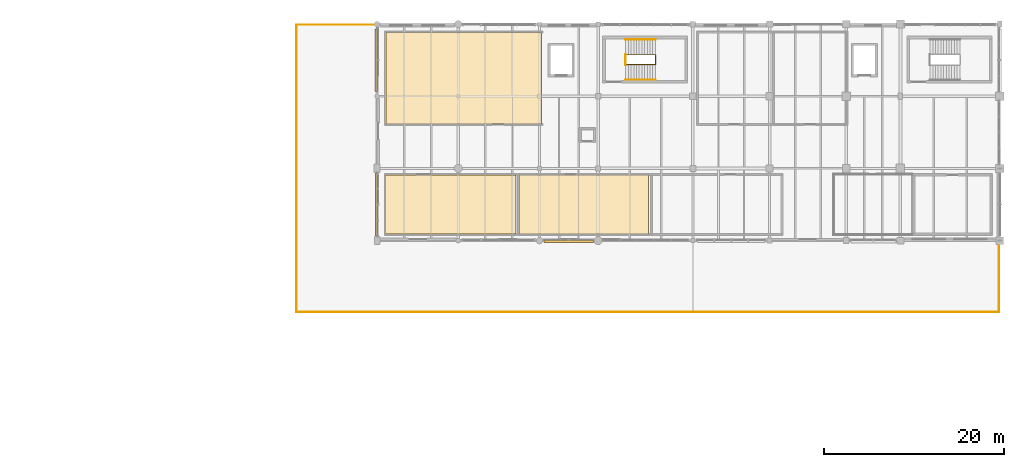
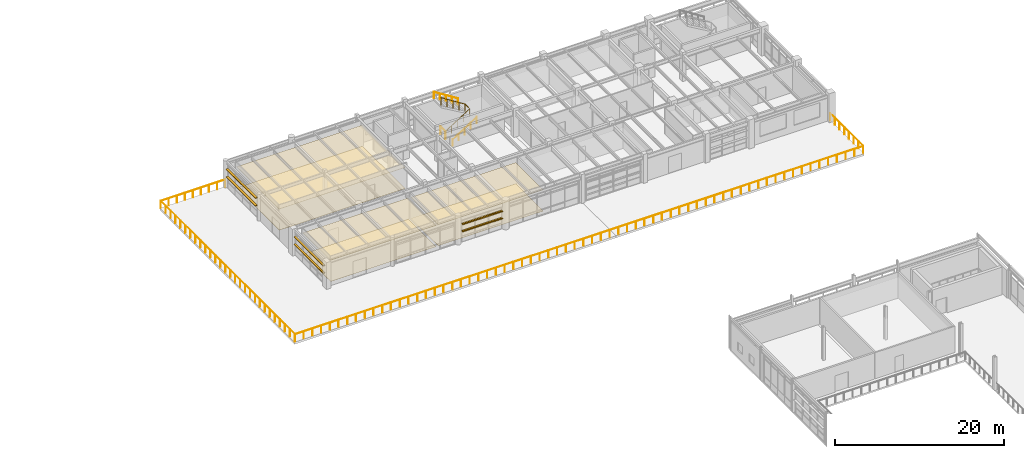
# One storey, part 54 of 56: 6 coverings, 6 shading devices, 5 railings.
"""IFC4 building model written with IfcOpenShell, lengths in metres."""

from ifc_helpers import new_model, si_unit, direction, frame, origin, origin_2d, place, context, subcontext, project, spatial, polyline, rectangle, circle, outline, extrude, material, layer, layer_set, type_object, element, save


model = new_model("IFC4")

# Units and contexts
model_context = context("Model", 3, precision=1e-05, world=origin(), true_north=direction((0.0, 1.0)))
body_context = subcontext(model_context, "Body", "Model", "MODEL_VIEW")
ifc_project = project(units=[si_unit("LENGTHUNIT", "METRE"), si_unit("AREAUNIT", "SQUARE_METRE"), si_unit("VOLUMEUNIT", "CUBIC_METRE"), si_unit("PLANEANGLEUNIT", "RADIAN"), si_unit("MASSUNIT", "GRAM", prefix="KILO"), si_unit("THERMODYNAMICTEMPERATUREUNIT", "KELVIN"), si_unit("POWERUNIT", "WATT")], contexts=[model_context])

# Site, building, storey
site_placement = place(None, origin())
site = spatial("IfcSite", under=ifc_project, at=site_placement, CompositionType="ELEMENT")
building_placement = place(site_placement, origin())
building = spatial("IfcBuilding", under=site, at=building_placement, Name="Tepalcoro Natatorium and Aquatics Centre", CompositionType="ELEMENT")
storey_placement = place(building_placement, frame((0.0, 0.0, 14.800048828125)))
storey = spatial("IfcBuildingStorey", under=building, at=storey_placement, Name="L03", CompositionType="ELEMENT", Elevation=14.800048828125)

# Coverings
ifc_material_1 = material(Name="Perforated Corrosion-Resistant Acoustic Aluminium Baffle Ceiling", Category="aluminium")
ifc_layer_1 = layer(ifc_material_1, 0.044921875)
ifc_layer_set_1 = layer_set([ifc_layer_1], Name="Perforated Corrosion-Resistant Acoustic Aluminium Baffle Ceiling")
covering_type_1 = type_object("IfcCoveringType", Name="CL_BAFFLE_120", PredefinedType="CEILING", material=ifc_layer_set_1)
covering_1_placement = place(storey_placement, frame((0.0, 0.0, 3.050048828125)))
element("IfcCovering", 1, at=covering_1_placement, inside=storey, type_object=covering_type_1, Name="Panorama Thermal Solarium & Rooftop Spa Lounge Suspended Ceiling", PredefinedType="CEILING", context=body_context, shape_type="SweptSolid", body=[
    extrude(outline(polyline([(107.955078125, 94.715087890625), (107.955078125, 101.284912109375), (122.3779296875, 101.284912109375), (122.3779296875, 94.715087890625), (107.955078125, 94.715087890625)])), origin(), (0.0, 0.0, 1.0), 0.044921875),
])
ifc_material_2 = material(Name="Moisture-Resistant Acoustic Gypsum Drywall on Cold-Formed Metal Studs")
ifc_layer_2 = layer(ifc_material_2, 0.030029296875)
ifc_layer_set_2 = layer_set([ifc_layer_2], Name="Moisture-Resistant Acoustic Gypsum Drywall on Cold-Formed Metal Studs")
covering_type_2 = type_object("IfcCoveringType", Name="CL_GYPSUM_30", PredefinedType="CEILING", material=ifc_layer_set_2)
covering_2_placement = place(storey_placement, frame((0.0, 0.0, 3.050048828125)))
element("IfcCovering", 2, at=covering_2_placement, inside=storey, type_object=covering_type_2, Name="Hypoxic Altitude Simulation Training Chamber Suspended Ceiling", PredefinedType="CEILING", context=body_context, shape_type="SweptSolid", body=[
    extrude(outline(polyline([(122.712890625, 94.739990234375), (122.712890625, 101.260009765625), (137.0869140625, 101.260009765625), (137.0869140625, 94.739990234375), (122.712890625, 94.739990234375)])), origin(), (0.0, 0.0, 1.0), 0.02978515625),
])
ifc_layer_3 = layer(ifc_material_1, 0.0400390625)
ifc_layer_set_3 = layer_set([ifc_layer_3], Name="Perforated Corrosion-Resistant Acoustic Aluminium Baffle Ceiling")
covering_type_3 = type_object("IfcCoveringType", Name="CL_PERF_AL_40", PredefinedType="CEILING", material=ifc_layer_set_3)
covering_3_placement = place(storey_placement, frame((0.0, 0.0, 3.050048828125)))
element("IfcCovering", 3, at=covering_3_placement, inside=storey, type_object=covering_type_3, Name="Biochemistry & Haematology Physiology Lab Suspended Ceiling", PredefinedType="CEILING", context=body_context, shape_type="SweptSolid", body=[
    extrude(outline(polyline([(107.97998046875, 106.93994140625), (107.97998046875, 117.06005859375), (125.219970703125, 117.06005859375), (125.219970703125, 106.93994140625), (107.97998046875, 106.93994140625)])), origin(), (0.0, 0.0, 1.0), 0.039794921875),
])
ifc_material_3 = material(Name="Shock-Absorbing Vulcanised Athletic Rubber Flooring")
ifc_layer_4 = layer(ifc_material_3, 0.010009765625)
ifc_layer_set_4 = layer_set([ifc_layer_4], Name="Shock-Absorbing Vulcanised Athletic Rubber Flooring")
covering_type_4 = type_object("IfcCoveringType", Name="FL_CARPET_10", PredefinedType="FLOORING", material=ifc_layer_set_4)
covering_4_placement = place(storey_placement, origin())
element("IfcCovering", 4, at=covering_4_placement, inside=storey, type_object=covering_type_4, Name="Panorama Thermal Solarium & Rooftop Spa Lounge Floor Finish", PredefinedType="FLOORING", context=body_context, shape_type="SweptSolid", body=[
    extrude(outline(polyline([(107.955078125, 94.715087890625), (107.955078125, 101.284912109375), (122.3779296875, 101.284912109375), (122.3779296875, 94.715087890625), (107.955078125, 94.715087890625)])), origin(), (0.0, 0.0, 1.0), 0.010009765625),
])
ifc_layer_5 = layer(ifc_material_3, 0.011962890625)
ifc_layer_set_5 = layer_set([ifc_layer_5], Name="Shock-Absorbing Vulcanised Athletic Rubber Flooring")
covering_type_5 = type_object("IfcCoveringType", Name="FL_RUBBER_12", PredefinedType="FLOORING", material=ifc_layer_set_5)
covering_5_placement = place(storey_placement, origin())
element("IfcCovering", 5, at=covering_5_placement, inside=storey, type_object=covering_type_5, Name="Hypoxic Altitude Simulation Training Chamber Floor Finish", PredefinedType="FLOORING", context=body_context, shape_type="SweptSolid", body=[
    extrude(outline(polyline([(122.712890625, 94.739990234375), (122.712890625, 101.260009765625), (137.0869140625, 101.260009765625), (137.0869140625, 94.739990234375), (122.712890625, 94.739990234375)])), origin(), (0.0, 0.0, 1.0), 0.011962890625),
])
ifc_material_4 = material(Name="Polished Jalisco Basalt Aggregate Terrazzo Flooring", Category="masonry")
ifc_layer_6 = layer(ifc_material_4, 0.028076171875)
ifc_layer_set_6 = layer_set([ifc_layer_6], Name="Polished Jalisco Basalt Aggregate Terrazzo Flooring")
covering_type_6 = type_object("IfcCoveringType", Name="FL_TERRAZZO_25", PredefinedType="FLOORING", material=ifc_layer_set_6)
covering_6_placement = place(storey_placement, origin())
element("IfcCovering", 6, at=covering_6_placement, inside=storey, type_object=covering_type_6, Name="Biochemistry & Haematology Physiology Lab Floor Finish", PredefinedType="FLOORING", context=body_context, shape_type="SweptSolid", body=[
    extrude(outline(polyline([(107.97998046875, 106.93994140625), (107.97998046875, 117.06005859375), (125.219970703125, 117.06005859375), (125.219970703125, 106.93994140625), (107.97998046875, 106.93994140625)])), origin(), (0.0, 0.0, 1.0), 0.02783203125),
])

# Railings
ifc_material_5 = material(Name="Bronze-Anodised Extruded Aluminium Alloy EN AW-6063 T6", Category="aluminium")
railing_type_1 = type_object("IfcRailingType", Name="RL_HAND_900_BRZ", PredefinedType="HANDRAIL", material=ifc_material_5)
railing_1_placement = place(storey_placement, frame((134.550048828125, 111.830078125, 0.0)))
element("IfcRailing", 7, at=railing_1_placement, inside=storey, type_object=railing_type_1, Name="ST09-L03 Wall Handrail F1", PredefinedType="HANDRAIL", context=body_context, shape_type="SweptSolid", body=[
    extrude(circle(Radius=0.02392578125, at=origin_2d()), frame((0.0, 0.0, 0.8759765625), z_axis=(0.843682047799, 0.0, 0.53684318215), x_axis=(0.0, 1.0, 0.0)), (0.0, 0.0, 1.0), 3.911376953125),
    extrude(circle(Radius=0.02099609375, at=origin_2d()), origin(), (0.0, 0.0, 1.0), 0.851806640625),
    extrude(circle(Radius=0.02099609375, at=origin_2d()), frame((0.824951171875, 0.0, 0.52490234375)), (0.0, 0.0, 1.0), 0.851806640625),
    extrude(circle(Radius=0.02099609375, at=origin_2d()), frame((1.64990234375, 0.0, 1.0498046875)), (0.0, 0.0, 1.0), 0.851806640625),
    extrude(circle(Radius=0.02099609375, at=origin_2d()), frame((2.47509765625, 0.0, 1.574951171875)), (0.0, 0.0, 1.0), 0.851806640625),
    extrude(circle(Radius=0.02099609375, at=origin_2d()), frame((3.300048828125, 0.0, 2.099853515625)), (0.0, 0.0, 1.0), 0.851806640625),
])
railing_2_placement = place(storey_placement, frame((137.85009765625, 116.27001953125, 2.099853515625)))
element("IfcRailing", 8, at=railing_2_placement, inside=storey, type_object=railing_type_1, Name="ST09-L03 Wall Handrail F2", PredefinedType="HANDRAIL", context=body_context, shape_type="SweptSolid", body=[
    extrude(circle(Radius=0.02392578125, at=origin_2d()), frame((0.0, 0.0, 0.8759765625), z_axis=(-0.843653777646, 0.0, 0.53688760785), x_axis=(0.0, -1.0, 0.0)), (0.0, 0.0, 1.0), 3.91162109375),
    extrude(circle(Radius=0.02099609375, at=origin_2d()), origin(), (0.0, 0.0, 1.0), 0.851806640625),
    extrude(circle(Radius=0.02099609375, at=origin_2d()), frame((-0.824951171875, 0.0, 0.52490234375)), (0.0, 0.0, 1.0), 0.851806640625),
    extrude(circle(Radius=0.02099609375, at=origin_2d()), frame((-1.64990234375, 0.0, 1.050048828125)), (0.0, 0.0, 1.0), 0.851806640625),
    extrude(circle(Radius=0.02099609375, at=origin_2d()), frame((-2.47509765625, 0.0, 1.5751953125)), (0.0, 0.0, 1.0), 0.851806640625),
    extrude(circle(Radius=0.02099609375, at=origin_2d()), frame((-3.300048828125, 0.0, 2.10009765625)), (0.0, 0.0, 1.0), 0.851806640625),
])
ifc_material_6 = material(Name="Marine-Grade Brushed Stainless Steel AISI 316L", Category="steel")
railing_type_2 = type_object("IfcRailingType", Name="RL_SS_1100", PredefinedType="GUARDRAIL", material=ifc_material_6)
railing_3_placement = place(storey_placement, frame((134.550048828125, 113.5, 0.0)))
element("IfcRailing", 9, at=railing_3_placement, inside=storey, type_object=railing_type_2, Name="ST09-L03 Inner Stairwell Guardrail", PredefinedType="GUARDRAIL", context=body_context, shape_type="SweptSolid", body=[
    extrude(circle(Radius=0.02392578125, at=origin_2d()), frame((0.0, 0.0, 1.076171875), z_axis=(0.843682047799, 0.0, 0.53684318215), x_axis=(0.0, 1.0, 0.0)), (0.0, 0.0, 1.0), 3.911376953125),
    extrude(circle(Radius=0.02392578125, at=origin_2d()), frame((3.300048828125, 0.0, 3.17578125), z_axis=(0.0, 1.0, 0.0), x_axis=(-1.0, 0.0, 0.0)), (0.0, 0.0, 1.0), 1.10009765625),
    extrude(circle(Radius=0.02392578125, at=origin_2d()), frame((3.300048828125, 1.10009765625, 3.17578125), z_axis=(-0.843653777646, 0.0, 0.53688760785), x_axis=(0.0, -1.0, 0.0)), (0.0, 0.0, 1.0), 3.91162109375),
    extrude(circle(Radius=0.02099609375, at=origin_2d()), origin(), (0.0, 0.0, 1.0), 1.052001953125),
    extrude(circle(Radius=0.02099609375, at=origin_2d()), frame((0.824951171875, 0.0, 0.52490234375)), (0.0, 0.0, 1.0), 1.052001953125),
    extrude(circle(Radius=0.02099609375, at=origin_2d()), frame((1.64990234375, 0.0, 1.0498046875)), (0.0, 0.0, 1.0), 1.052001953125),
    extrude(circle(Radius=0.02099609375, at=origin_2d()), frame((2.47509765625, 0.0, 1.574951171875)), (0.0, 0.0, 1.0), 1.052001953125),
    extrude(circle(Radius=0.02099609375, at=origin_2d()), frame((3.300048828125, 0.0, 2.099853515625)), (0.0, 0.0, 1.0), 1.052001953125),
    extrude(circle(Radius=0.02099609375, at=origin_2d()), frame((3.300048828125, 1.10009765625, 2.099853515625)), (0.0, 0.0, 1.0), 1.052001953125),
    extrude(circle(Radius=0.02099609375, at=origin_2d()), frame((2.47509765625, 1.10009765625, 2.625)), (0.0, 0.0, 1.0), 1.052001953125),
    extrude(circle(Radius=0.02099609375, at=origin_2d()), frame((1.64990234375, 1.10009765625, 3.14990234375)), (0.0, 0.0, 1.0), 1.052001953125),
    extrude(circle(Radius=0.02099609375, at=origin_2d()), frame((0.824951171875, 1.10009765625, 3.6748046875)), (0.0, 0.0, 1.0), 1.052001953125),
    extrude(circle(Radius=0.02099609375, at=origin_2d()), frame((0.0, 1.10009765625, 4.199951171875)), (0.0, 0.0, 1.0), 1.052001953125),
])
railing_4_placement = place(storey_placement, frame((134.52001953125, 113.4599609375, 0.0)))
element("IfcRailing", 10, at=railing_4_placement, inside=storey, type_object=railing_type_2, Name="ST09-L03 Landing Well Slot Guard", PredefinedType="GUARDRAIL", context=body_context, shape_type="SweptSolid", body=[
    extrude(circle(Radius=0.02392578125, at=origin_2d()), frame((0.0, 0.0, 1.076171875), z_axis=(0.0, 1.0, 0.0), x_axis=(-1.0, 0.0, 0.0)), (0.0, 0.0, 1.0), 1.179931640625),
    extrude(circle(Radius=0.02099609375, at=origin_2d()), origin(), (0.0, 0.0, 1.0), 1.052001953125),
    extrude(circle(Radius=0.02099609375, at=origin_2d()), frame((0.0, 1.179931640625, 0.0)), (0.0, 0.0, 1.0), 1.052001953125),
])
railing_5_placement = place(storey_placement, frame((106.919921875, 117.919921875, 0.0)))
element("IfcRailing", 11, at=railing_5_placement, inside=storey, type_object=railing_type_2, Name="V5 L03 Planted Thermal Spa Terrace Guardrail", PredefinedType="GUARDRAIL", context=body_context, shape_type="SweptSolid", body=[
    extrude(circle(Radius=0.02392578125, at=origin_2d()), frame((0.0, 0.0, 1.076171875), z_axis=(-1.0, 0.0, 0.0), x_axis=(0.0, -1.0, 0.0)), (0.0, 0.0, 1.0), 8.83984375),
    extrude(circle(Radius=0.02392578125, at=origin_2d()), frame((-8.83984375, 0.0, 1.076171875), z_axis=(0.0, -1.0, 0.0), x_axis=(1.0, 0.0, 0.0)), (0.0, 0.0, 1.0), 31.83984375),
    extrude(circle(Radius=0.02392578125, at=origin_2d()), frame((-8.83984375, -31.83984375, 1.076171875), z_axis=(1.0, 0.0, 0.0), x_axis=(0.0, 1.0, 0.0)), (0.0, 0.0, 1.0), 77.83984375),
    extrude(circle(Radius=0.02392578125, at=origin_2d()), frame((69.0, -31.83984375, 1.076171875), z_axis=(0.0, 1.0, 0.0), x_axis=(-1.0, 0.0, 0.0)), (0.0, 0.0, 1.0), 7.83984375),
    extrude(circle(Radius=0.02099609375, at=origin_2d()), origin(), (0.0, 0.0, 1.0), 1.052001953125),
    extrude(circle(Radius=0.02099609375, at=origin_2d()), frame((-1.10498046875, 0.0, 0.0)), (0.0, 0.0, 1.0), 1.052001953125),
    extrude(circle(Radius=0.02099609375, at=origin_2d()), frame((-2.2099609375, 0.0, 0.0)), (0.0, 0.0, 1.0), 1.052001953125),
    extrude(circle(Radius=0.02099609375, at=origin_2d()), frame((-3.31494140625, 0.0, 0.0)), (0.0, 0.0, 1.0), 1.052001953125),
    extrude(circle(Radius=0.02099609375, at=origin_2d()), frame((-4.419921875, 0.0, 0.0)), (0.0, 0.0, 1.0), 1.052001953125),
    extrude(circle(Radius=0.02099609375, at=origin_2d()), frame((-5.52490234375, 0.0, 0.0)), (0.0, 0.0, 1.0), 1.052001953125),
    extrude(circle(Radius=0.02099609375, at=origin_2d()), frame((-6.6298828125, 0.0, 0.0)), (0.0, 0.0, 1.0), 1.052001953125),
    extrude(circle(Radius=0.02099609375, at=origin_2d()), frame((-7.73486328125, 0.0, 0.0)), (0.0, 0.0, 1.0), 1.052001953125),
    extrude(circle(Radius=0.02099609375, at=origin_2d()), frame((-8.83984375, 0.0, 0.0)), (0.0, 0.0, 1.0), 1.052001953125),
    extrude(circle(Radius=0.02099609375, at=origin_2d()), frame((-8.83984375, -1.17919921875, 0.0)), (0.0, 0.0, 1.0), 1.052001953125),
    extrude(circle(Radius=0.02099609375, at=origin_2d()), frame((-8.83984375, -2.3583984375, 0.0)), (0.0, 0.0, 1.0), 1.052001953125),
    extrude(circle(Radius=0.02099609375, at=origin_2d()), frame((-8.83984375, -3.537841796875, 0.0)), (0.0, 0.0, 1.0), 1.052001953125),
    extrude(circle(Radius=0.02099609375, at=origin_2d()), frame((-8.83984375, -4.717041015625, 0.0)), (0.0, 0.0, 1.0), 1.052001953125),
    extrude(circle(Radius=0.02099609375, at=origin_2d()), frame((-8.83984375, -5.896240234375, 0.0)), (0.0, 0.0, 1.0), 1.052001953125),
    extrude(circle(Radius=0.02099609375, at=origin_2d()), frame((-8.83984375, -7.075439453125, 0.0)), (0.0, 0.0, 1.0), 1.052001953125),
    extrude(circle(Radius=0.02099609375, at=origin_2d()), frame((-8.83984375, -8.2548828125, 0.0)), (0.0, 0.0, 1.0), 1.052001953125),
    extrude(circle(Radius=0.02099609375, at=origin_2d()), frame((-8.83984375, -9.43408203125, 0.0)), (0.0, 0.0, 1.0), 1.052001953125),
    extrude(circle(Radius=0.02099609375, at=origin_2d()), frame((-8.83984375, -10.61328125, 0.0)), (0.0, 0.0, 1.0), 1.052001953125),
    extrude(circle(Radius=0.02099609375, at=origin_2d()), frame((-8.83984375, -11.79248046875, 0.0)), (0.0, 0.0, 1.0), 1.052001953125),
    extrude(circle(Radius=0.02099609375, at=origin_2d()), frame((-8.83984375, -12.9716796875, 0.0)), (0.0, 0.0, 1.0), 1.052001953125),
    extrude(circle(Radius=0.02099609375, at=origin_2d()), frame((-8.83984375, -14.151123046875, 0.0)), (0.0, 0.0, 1.0), 1.052001953125),
    extrude(circle(Radius=0.02099609375, at=origin_2d()), frame((-8.83984375, -15.330322265625, 0.0)), (0.0, 0.0, 1.0), 1.052001953125),
    extrude(circle(Radius=0.02099609375, at=origin_2d()), frame((-8.83984375, -16.509521484375, 0.0)), (0.0, 0.0, 1.0), 1.052001953125),
    extrude(circle(Radius=0.02099609375, at=origin_2d()), frame((-8.83984375, -17.688720703125, 0.0)), (0.0, 0.0, 1.0), 1.052001953125),
    extrude(circle(Radius=0.02099609375, at=origin_2d()), frame((-8.83984375, -18.8681640625, 0.0)), (0.0, 0.0, 1.0), 1.052001953125),
    extrude(circle(Radius=0.02099609375, at=origin_2d()), frame((-8.83984375, -20.04736328125, 0.0)), (0.0, 0.0, 1.0), 1.052001953125),
    extrude(circle(Radius=0.02099609375, at=origin_2d()), frame((-8.83984375, -21.2265625, 0.0)), (0.0, 0.0, 1.0), 1.052001953125),
    extrude(circle(Radius=0.02099609375, at=origin_2d()), frame((-8.83984375, -22.40576171875, 0.0)), (0.0, 0.0, 1.0), 1.052001953125),
    extrude(circle(Radius=0.02099609375, at=origin_2d()), frame((-8.83984375, -23.5849609375, 0.0)), (0.0, 0.0, 1.0), 1.052001953125),
    extrude(circle(Radius=0.02099609375, at=origin_2d()), frame((-8.83984375, -24.764404296875, 0.0)), (0.0, 0.0, 1.0), 1.052001953125),
    extrude(circle(Radius=0.02099609375, at=origin_2d()), frame((-8.83984375, -25.943603515625, 0.0)), (0.0, 0.0, 1.0), 1.052001953125),
    extrude(circle(Radius=0.02099609375, at=origin_2d()), frame((-8.83984375, -27.122802734375, 0.0)), (0.0, 0.0, 1.0), 1.052001953125),
    extrude(circle(Radius=0.02099609375, at=origin_2d()), frame((-8.83984375, -28.302001953125, 0.0)), (0.0, 0.0, 1.0), 1.052001953125),
    extrude(circle(Radius=0.02099609375, at=origin_2d()), frame((-8.83984375, -29.4814453125, 0.0)), (0.0, 0.0, 1.0), 1.052001953125),
    extrude(circle(Radius=0.02099609375, at=origin_2d()), frame((-8.83984375, -30.66064453125, 0.0)), (0.0, 0.0, 1.0), 1.052001953125),
    extrude(circle(Radius=0.02099609375, at=origin_2d()), frame((-8.83984375, -31.83984375, 0.0)), (0.0, 0.0, 1.0), 1.052001953125),
    extrude(circle(Radius=0.02099609375, at=origin_2d()), frame((-7.642333984375, -31.83984375, 0.0)), (0.0, 0.0, 1.0), 1.052001953125),
    extrude(circle(Radius=0.02099609375, at=origin_2d()), frame((-6.44482421875, -31.83984375, 0.0)), (0.0, 0.0, 1.0), 1.052001953125),
    extrude(circle(Radius=0.02099609375, at=origin_2d()), frame((-5.247314453125, -31.83984375, 0.0)), (0.0, 0.0, 1.0), 1.052001953125),
    extrude(circle(Radius=0.02099609375, at=origin_2d()), frame((-4.0498046875, -31.83984375, 0.0)), (0.0, 0.0, 1.0), 1.052001953125),
    extrude(circle(Radius=0.02099609375, at=origin_2d()), frame((-2.85205078125, -31.83984375, 0.0)), (0.0, 0.0, 1.0), 1.052001953125),
    extrude(circle(Radius=0.02099609375, at=origin_2d()), frame((-1.654541015625, -31.83984375, 0.0)), (0.0, 0.0, 1.0), 1.052001953125),
    extrude(circle(Radius=0.02099609375, at=origin_2d()), frame((-0.45703125, -31.83984375, 0.0)), (0.0, 0.0, 1.0), 1.052001953125),
    extrude(circle(Radius=0.02099609375, at=origin_2d()), frame((0.740478515625, -31.83984375, 0.0)), (0.0, 0.0, 1.0), 1.052001953125),
    extrude(circle(Radius=0.02099609375, at=origin_2d()), frame((1.93798828125, -31.83984375, 0.0)), (0.0, 0.0, 1.0), 1.052001953125),
    extrude(circle(Radius=0.02099609375, at=origin_2d()), frame((3.135498046875, -31.83984375, 0.0)), (0.0, 0.0, 1.0), 1.052001953125),
    extrude(circle(Radius=0.02099609375, at=origin_2d()), frame((4.3330078125, -31.83984375, 0.0)), (0.0, 0.0, 1.0), 1.052001953125),
    extrude(circle(Radius=0.02099609375, at=origin_2d()), frame((5.530517578125, -31.83984375, 0.0)), (0.0, 0.0, 1.0), 1.052001953125),
    extrude(circle(Radius=0.02099609375, at=origin_2d()), frame((6.72802734375, -31.83984375, 0.0)), (0.0, 0.0, 1.0), 1.052001953125),
    extrude(circle(Radius=0.02099609375, at=origin_2d()), frame((7.92578125, -31.83984375, 0.0)), (0.0, 0.0, 1.0), 1.052001953125),
    extrude(circle(Radius=0.02099609375, at=origin_2d()), frame((9.123291015625, -31.83984375, 0.0)), (0.0, 0.0, 1.0), 1.052001953125),
    extrude(circle(Radius=0.02099609375, at=origin_2d()), frame((10.32080078125, -31.83984375, 0.0)), (0.0, 0.0, 1.0), 1.052001953125),
    extrude(circle(Radius=0.02099609375, at=origin_2d()), frame((11.518310546875, -31.83984375, 0.0)), (0.0, 0.0, 1.0), 1.052001953125),
    extrude(circle(Radius=0.02099609375, at=origin_2d()), frame((12.7158203125, -31.83984375, 0.0)), (0.0, 0.0, 1.0), 1.052001953125),
    extrude(circle(Radius=0.02099609375, at=origin_2d()), frame((13.913330078125, -31.83984375, 0.0)), (0.0, 0.0, 1.0), 1.052001953125),
    extrude(circle(Radius=0.02099609375, at=origin_2d()), frame((15.11083984375, -31.83984375, 0.0)), (0.0, 0.0, 1.0), 1.052001953125),
    extrude(circle(Radius=0.02099609375, at=origin_2d()), frame((16.308349609375, -31.83984375, 0.0)), (0.0, 0.0, 1.0), 1.052001953125),
    extrude(circle(Radius=0.02099609375, at=origin_2d()), frame((17.505859375, -31.83984375, 0.0)), (0.0, 0.0, 1.0), 1.052001953125),
    extrude(circle(Radius=0.02099609375, at=origin_2d()), frame((18.703369140625, -31.83984375, 0.0)), (0.0, 0.0, 1.0), 1.052001953125),
    extrude(circle(Radius=0.02099609375, at=origin_2d()), frame((19.901123046875, -31.83984375, 0.0)), (0.0, 0.0, 1.0), 1.052001953125),
    extrude(circle(Radius=0.02099609375, at=origin_2d()), frame((21.0986328125, -31.83984375, 0.0)), (0.0, 0.0, 1.0), 1.052001953125),
    extrude(circle(Radius=0.02099609375, at=origin_2d()), frame((22.296142578125, -31.83984375, 0.0)), (0.0, 0.0, 1.0), 1.052001953125),
    extrude(circle(Radius=0.02099609375, at=origin_2d()), frame((23.49365234375, -31.83984375, 0.0)), (0.0, 0.0, 1.0), 1.052001953125),
    extrude(circle(Radius=0.02099609375, at=origin_2d()), frame((24.691162109375, -31.83984375, 0.0)), (0.0, 0.0, 1.0), 1.052001953125),
    extrude(circle(Radius=0.02099609375, at=origin_2d()), frame((25.888671875, -31.83984375, 0.0)), (0.0, 0.0, 1.0), 1.052001953125),
    extrude(circle(Radius=0.02099609375, at=origin_2d()), frame((27.086181640625, -31.83984375, 0.0)), (0.0, 0.0, 1.0), 1.052001953125),
    extrude(circle(Radius=0.02099609375, at=origin_2d()), frame((28.28369140625, -31.83984375, 0.0)), (0.0, 0.0, 1.0), 1.052001953125),
    extrude(circle(Radius=0.02099609375, at=origin_2d()), frame((29.481201171875, -31.83984375, 0.0)), (0.0, 0.0, 1.0), 1.052001953125),
    extrude(circle(Radius=0.02099609375, at=origin_2d()), frame((30.678955078125, -31.83984375, 0.0)), (0.0, 0.0, 1.0), 1.052001953125),
    extrude(circle(Radius=0.02099609375, at=origin_2d()), frame((31.87646484375, -31.83984375, 0.0)), (0.0, 0.0, 1.0), 1.052001953125),
    extrude(circle(Radius=0.02099609375, at=origin_2d()), frame((33.073974609375, -31.83984375, 0.0)), (0.0, 0.0, 1.0), 1.052001953125),
    extrude(circle(Radius=0.02099609375, at=origin_2d()), frame((34.271484375, -31.83984375, 0.0)), (0.0, 0.0, 1.0), 1.052001953125),
    extrude(circle(Radius=0.02099609375, at=origin_2d()), frame((35.468994140625, -31.83984375, 0.0)), (0.0, 0.0, 1.0), 1.052001953125),
    extrude(circle(Radius=0.02099609375, at=origin_2d()), frame((36.66650390625, -31.83984375, 0.0)), (0.0, 0.0, 1.0), 1.052001953125),
    extrude(circle(Radius=0.02099609375, at=origin_2d()), frame((37.864013671875, -31.83984375, 0.0)), (0.0, 0.0, 1.0), 1.052001953125),
    extrude(circle(Radius=0.02099609375, at=origin_2d()), frame((39.0615234375, -31.83984375, 0.0)), (0.0, 0.0, 1.0), 1.052001953125),
    extrude(circle(Radius=0.02099609375, at=origin_2d()), frame((40.259033203125, -31.83984375, 0.0)), (0.0, 0.0, 1.0), 1.052001953125),
    extrude(circle(Radius=0.02099609375, at=origin_2d()), frame((41.456787109375, -31.83984375, 0.0)), (0.0, 0.0, 1.0), 1.052001953125),
    extrude(circle(Radius=0.02099609375, at=origin_2d()), frame((42.654296875, -31.83984375, 0.0)), (0.0, 0.0, 1.0), 1.052001953125),
    extrude(circle(Radius=0.02099609375, at=origin_2d()), frame((43.851806640625, -31.83984375, 0.0)), (0.0, 0.0, 1.0), 1.052001953125),
    extrude(circle(Radius=0.02099609375, at=origin_2d()), frame((45.04931640625, -31.83984375, 0.0)), (0.0, 0.0, 1.0), 1.052001953125),
    extrude(circle(Radius=0.02099609375, at=origin_2d()), frame((46.246826171875, -31.83984375, 0.0)), (0.0, 0.0, 1.0), 1.052001953125),
    extrude(circle(Radius=0.02099609375, at=origin_2d()), frame((47.4443359375, -31.83984375, 0.0)), (0.0, 0.0, 1.0), 1.052001953125),
    extrude(circle(Radius=0.02099609375, at=origin_2d()), frame((48.641845703125, -31.83984375, 0.0)), (0.0, 0.0, 1.0), 1.052001953125),
    extrude(circle(Radius=0.02099609375, at=origin_2d()), frame((49.83935546875, -31.83984375, 0.0)), (0.0, 0.0, 1.0), 1.052001953125),
    extrude(circle(Radius=0.02099609375, at=origin_2d()), frame((51.036865234375, -31.83984375, 0.0)), (0.0, 0.0, 1.0), 1.052001953125),
    extrude(circle(Radius=0.02099609375, at=origin_2d()), frame((52.234375, -31.83984375, 0.0)), (0.0, 0.0, 1.0), 1.052001953125),
    extrude(circle(Radius=0.02099609375, at=origin_2d()), frame((53.43212890625, -31.83984375, 0.0)), (0.0, 0.0, 1.0), 1.052001953125),
    extrude(circle(Radius=0.02099609375, at=origin_2d()), frame((54.629638671875, -31.83984375, 0.0)), (0.0, 0.0, 1.0), 1.052001953125),
    extrude(circle(Radius=0.02099609375, at=origin_2d()), frame((55.8271484375, -31.83984375, 0.0)), (0.0, 0.0, 1.0), 1.052001953125),
    extrude(circle(Radius=0.02099609375, at=origin_2d()), frame((57.024658203125, -31.83984375, 0.0)), (0.0, 0.0, 1.0), 1.052001953125),
    extrude(circle(Radius=0.02099609375, at=origin_2d()), frame((58.22216796875, -31.83984375, 0.0)), (0.0, 0.0, 1.0), 1.052001953125),
    extrude(circle(Radius=0.02099609375, at=origin_2d()), frame((59.419677734375, -31.83984375, 0.0)), (0.0, 0.0, 1.0), 1.052001953125),
    extrude(circle(Radius=0.02099609375, at=origin_2d()), frame((60.6171875, -31.83984375, 0.0)), (0.0, 0.0, 1.0), 1.052001953125),
    extrude(circle(Radius=0.02099609375, at=origin_2d()), frame((61.814697265625, -31.83984375, 0.0)), (0.0, 0.0, 1.0), 1.052001953125),
    extrude(circle(Radius=0.02099609375, at=origin_2d()), frame((63.01220703125, -31.83984375, 0.0)), (0.0, 0.0, 1.0), 1.052001953125),
    extrude(circle(Radius=0.02099609375, at=origin_2d()), frame((64.2099609375, -31.83984375, 0.0)), (0.0, 0.0, 1.0), 1.052001953125),
    extrude(circle(Radius=0.02099609375, at=origin_2d()), frame((65.407470703125, -31.83984375, 0.0)), (0.0, 0.0, 1.0), 1.052001953125),
    extrude(circle(Radius=0.02099609375, at=origin_2d()), frame((66.60498046875, -31.83984375, 0.0)), (0.0, 0.0, 1.0), 1.052001953125),
    extrude(circle(Radius=0.02099609375, at=origin_2d()), frame((67.802490234375, -31.83984375, 0.0)), (0.0, 0.0, 1.0), 1.052001953125),
    extrude(circle(Radius=0.02099609375, at=origin_2d()), frame((69.0, -31.83984375, 0.0)), (0.0, 0.0, 1.0), 1.052001953125),
    extrude(circle(Radius=0.02099609375, at=origin_2d()), frame((69.0, -30.719970703125, 0.0)), (0.0, 0.0, 1.0), 1.052001953125),
    extrude(circle(Radius=0.02099609375, at=origin_2d()), frame((69.0, -29.599853515625, 0.0)), (0.0, 0.0, 1.0), 1.052001953125),
    extrude(circle(Radius=0.02099609375, at=origin_2d()), frame((69.0, -28.47998046875, 0.0)), (0.0, 0.0, 1.0), 1.052001953125),
    extrude(circle(Radius=0.02099609375, at=origin_2d()), frame((69.0, -27.35986328125, 0.0)), (0.0, 0.0, 1.0), 1.052001953125),
    extrude(circle(Radius=0.02099609375, at=origin_2d()), frame((69.0, -26.239990234375, 0.0)), (0.0, 0.0, 1.0), 1.052001953125),
    extrude(circle(Radius=0.02099609375, at=origin_2d()), frame((69.0, -25.119873046875, 0.0)), (0.0, 0.0, 1.0), 1.052001953125),
    extrude(circle(Radius=0.02099609375, at=origin_2d()), frame((69.0, -24.0, 0.0)), (0.0, 0.0, 1.0), 1.052001953125),
])

# Shading devices
shading_device_type_1 = type_object("IfcShadingDeviceType", Name="SHD_FIN_BRONZE", PredefinedType="SHUTTER", material=ifc_material_5)
for number, where, z_axis, x_axis, name in (
    (12, (106.90625, 114.0, 1.731689453125), (0.0, 0.0, 1.0), (1.0, 0.0, 0.0), "Solar Shading Brise-Soleil SHD_FIN_BRONZE"),
    (13, (106.90625, 114.0, 2.846923828125), (0.0, 0.0, 1.0), (1.0, 0.0, 0.0), "Solar Shading Brise-Soleil SHD_FIN_BRONZE"),
):
    element("IfcShadingDevice", number, at=place(storey_placement, frame(where, z_axis=z_axis, x_axis=x_axis)), inside=storey, type_object=shading_device_type_1, Name=name, PredefinedType="SHUTTER", context=body_context, shape_type="SweptSolid", body=[
        extrude(rectangle(XDim=0.300048828125, YDim=6.9599609375, at=origin_2d()), origin(), (0.0, 0.0, 1.0), 0.080078125),
    ])
shading_device_type_2 = type_object("IfcShadingDeviceType", Name="SHD_LOUVRE_AL", PredefinedType="JALOUSIE", material=ifc_material_5)
for number, where, z_axis, x_axis, name in (
    (14, (128.25, 93.936279296875, 1.59814453125), (0.0, 0.0, 1.0), (1.0, 0.0, 0.0), "Solar Shading Brise-Soleil SHD_LOUVRE_AL"),
    (15, (128.25, 93.936279296875, 2.62939453125), (0.0, 0.0, 1.0), (1.0, 0.0, 0.0), "Solar Shading Brise-Soleil SHD_LOUVRE_AL"),
):
    element("IfcShadingDevice", number, at=place(storey_placement, frame(where, z_axis=z_axis, x_axis=x_axis)), inside=storey, type_object=shading_device_type_2, Name=name, PredefinedType="JALOUSIE", context=body_context, shape_type="SweptSolid", body=[
        extrude(rectangle(XDim=5.4599609375, YDim=0.239990234375, at=origin_2d()), origin(), (0.0, 0.0, 1.0), 0.080078125),
    ])
for number, where, z_axis, x_axis, name in (
    (16, (106.936279296875, 98.0, 1.668212890625), (0.0, 0.0, 1.0), (1.0, 0.0, 0.0), "Solar Shading Brise-Soleil SHD_LOUVRE_AL"),
    (17, (106.936279296875, 98.0, 2.74365234375), (0.0, 0.0, 1.0), (1.0, 0.0, 0.0), "Solar Shading Brise-Soleil SHD_LOUVRE_AL"),
):
    element("IfcShadingDevice", number, at=place(storey_placement, frame(where, z_axis=z_axis, x_axis=x_axis)), inside=storey, type_object=shading_device_type_2, Name=name, PredefinedType="JALOUSIE", context=body_context, shape_type="SweptSolid", body=[
        extrude(rectangle(XDim=0.239990234375, YDim=6.9599609375, at=origin_2d()), origin(), (0.0, 0.0, 1.0), 0.080078125),
    ])

save(model, "model.ifc")
